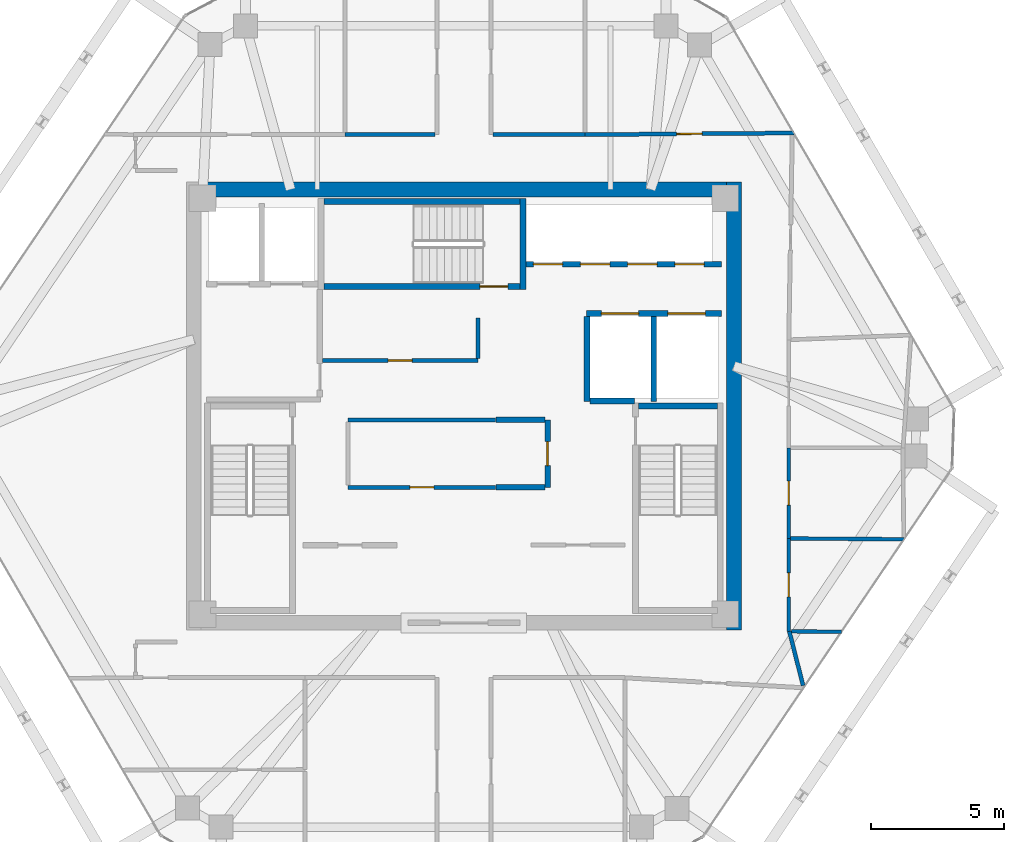
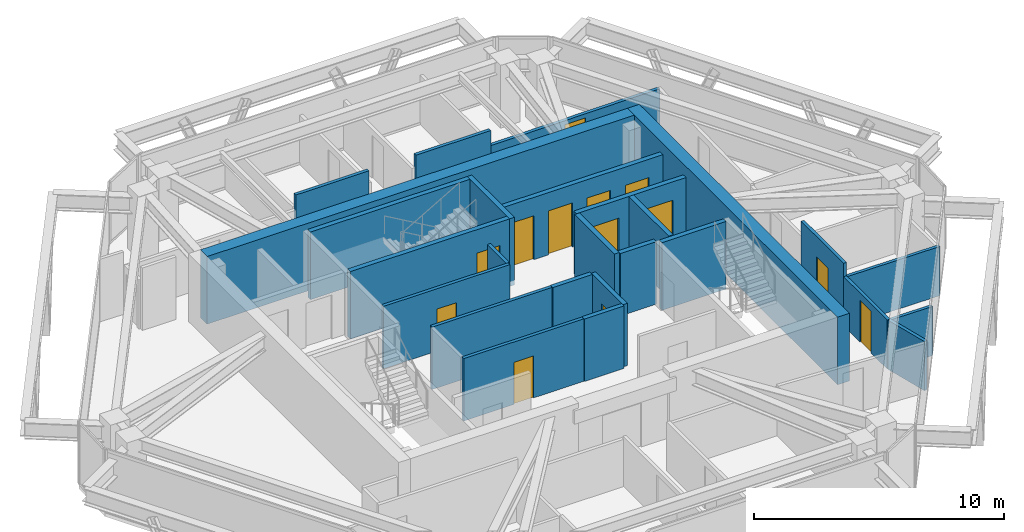
# One storey, part 9 of 11: 26 walls, 13 doors, 13 openings.
"""IFC4 building model written with IfcOpenShell, lengths in metres."""

from ifc_helpers import new_model, si_unit, direction, frame, frame_2d, origin, place, context, subcontext, project, spatial, rectangle, extrude, source, transform, mapped, material, layer, layer_set, type_object, type_shapes, element, fill, save


model = new_model("IFC4")

# Units and contexts
model_context = context("Model", 3, precision=1e-05, world=origin(), true_north=direction((0.0, 1.0)))
body_context = subcontext(model_context, "Body", "Model", "MODEL_VIEW")
ifc_project = project(units=[si_unit("LENGTHUNIT", "METRE"), si_unit("AREAUNIT", "SQUARE_METRE"), si_unit("VOLUMEUNIT", "CUBIC_METRE"), si_unit("PLANEANGLEUNIT", "RADIAN"), si_unit("MASSUNIT", "GRAM", prefix="KILO")], contexts=[model_context])

# Site, building, storey
site_placement = place(None, origin())
site = spatial("IfcSite", under=ifc_project, at=site_placement, CompositionType="ELEMENT")
building_placement = place(site_placement, origin())
building = spatial("IfcBuilding", under=site, at=building_placement, Name="Durnholm Broadcast Tower", CompositionType="ELEMENT")
storey_placement = place(building_placement, frame((0.0, 0.0, 238.10009765625)))
storey = spatial("IfcBuildingStorey", under=building, at=storey_placement, Name="L66", CompositionType="ELEMENT", Elevation=238.10009765625)

# Walls
ifc_material_1 = material(Name="Concrete C70/85", Category="concrete")
ifc_layer_1 = layer(ifc_material_1, 0.550048828125)
ifc_layer_set_1 = layer_set([ifc_layer_1], Name="Concrete C70/85")
wall_type_1 = type_object("IfcWallType", Name="WALL-CW-550", PredefinedType="SHEAR", material=ifc_layer_set_1)
wall_1_placement = place(storey_placement, frame((10.125, -8.39990234375, 0.0), z_axis=(0.0, 0.0, 1.0), x_axis=(0.0, 1.0, 0.0)))
element("IfcWall", 1, at=wall_1_placement, inside=storey, type_object=wall_type_1, Name="L66 central core shear wall CW-EAST", PredefinedType="SHEAR", context=body_context, shape_type="SweptSolid", body=[
    extrude(rectangle(XDim=16.7998046875, YDim=0.550048828125, at=frame_2d((8.39990234375, 0.0))), origin(), (0.0, 0.0, 1.0), 3.2998046875),
])
wall_2_placement = place(storey_placement, frame((-9.85009765625, 8.125, 0.0), z_axis=(0.0, 0.0, 1.0), x_axis=(1.0, 0.0, 0.0)))
element("IfcWall", 2, at=wall_2_placement, inside=storey, type_object=wall_type_1, Name="L66 central core shear wall CW-N", PredefinedType="SHEAR", context=body_context, shape_type="SweptSolid", body=[
    extrude(rectangle(XDim=19.7001953125, YDim=0.550048828125, at=frame_2d((9.85009765625, 0.0))), origin(), (0.0, 0.0, 1.0), 3.2998046875),
])

# Wall, opening, door
ifc_material_2 = material(Name="Fire-Rated Gypsum Shaftwall", Category="concrete")
ifc_layer_2 = layer(ifc_material_2, 0.199951171875)
ifc_layer_set_2 = layer_set([ifc_layer_2], Name="Fire-Rated Gypsum Shaftwall")
wall_type_2 = type_object("IfcWallType", Name="WALL-LOB-200", PredefinedType="SOLIDWALL", material=ifc_layer_set_2)
wall_3_placement = place(storey_placement, frame((3.139892578125, -0.510009765625, 0.0), z_axis=(0.0, 0.0, 1.0), x_axis=(0.0, -1.0, 0.0)))
wall_3 = element("IfcWall", 3, at=wall_3_placement, inside=storey, type_object=wall_type_2, Name="L66 Core IT Telecom Room corridor partition", PredefinedType="SOLIDWALL", context=body_context, shape_type="SweptSolid", body=[
    extrude(rectangle(XDim=2.530029296875, YDim=0.199951171875, at=frame_2d((1.26513671875, 0.0))), origin(), (0.0, 0.0, 1.0), 3.044921875),
])
opening_1_placement = place(wall_3_placement, frame((0.81494140625, 0.0, 0.0)))
opening_1 = element("IfcOpeningElement", 4, at=opening_1_placement, cuts=wall_3, Name="Opening DC-60R", PredefinedType="OPENING", context=body_context, shape_type="SweptSolid", body=[
    extrude(rectangle(XDim=0.89990234375, YDim=2.050048828125, at=frame_2d((0.449951171875, 1.02490234375))), frame((0.0, 0.10986328125, 0.0), z_axis=(0.0, -1.0, 0.0), x_axis=(1.0, 0.0, 0.0)), (0.0, 0.0, 1.0), 0.219970703125),
])
ifc_material_3 = material(Name="Fire-Rated Core Service Door", Category="steel")
ifc_layer_3 = layer(ifc_material_3, 0.050048828125)
ifc_layer_set_3 = layer_set([ifc_layer_3], Name="Fire-Rated Core Service Door")
door_type_1 = type_object("IfcDoorType", Name="DOOR-CORE-FD60-R", OperationType="NOTDEFINED", PredefinedType="DOOR", material=ifc_layer_set_3)
shared_shape_1 = source(origin(), body_context, "Body", "SweptSolid", [
    extrude(rectangle(XDim=0.89990234375, YDim=2.050048828125, at=frame_2d((0.449951171875, 1.02490234375))), frame((0.0, 0.02490234375, 0.0), z_axis=(0.0, -1.0, 0.0), x_axis=(1.0, 0.0, 0.0)), (0.0, 0.0, 1.0), 0.050048828125),
])
type_shapes(door_type_1, [shared_shape_1])
door_1_placement = place(opening_1_placement, origin())
door_1 = element("IfcDoor", 5, at=door_1_placement, inside=storey, type_object=door_type_1, Name="L66 Core IT Telecom Room entrance door", OperationType="SINGLE_SWING_RIGHT", OverallHeight=2.050048828125, OverallWidth=0.89990234375, PredefinedType="DOOR", context=body_context, shape_type="MappedRepresentation", body=[
    mapped(shared_shape_1, transform((0.0, 0.0, 0.0), x_axis=(1.0, 0.0, 0.0), y_axis=(0.0, 1.0, 0.0), z_axis=(0.0, 0.0, 1.0), scale=1.0)),
])
fill(opening_1, door_1)

# Walls
for number, where, z_axis, x_axis, name in (
    (6, (3.035888671875, -3.0400390625, 0.0), (0.0, 0.0, 1.0), (-1.0, 0.0, 0.0), "L66 Core IT Telecom Room corridor partition"),
    (7, (1.2099609375, -0.510009765625, 0.0), (0.0, 0.0, 1.0), (1.0, 0.0, 0.0), "L66 Core IT Telecom Room corridor partition"),
):
    element("IfcWall", number, at=place(storey_placement, frame(where, z_axis=z_axis, x_axis=x_axis)), inside=storey, type_object=wall_type_2, Name=name, PredefinedType="SOLIDWALL", context=body_context, shape_type="SweptSolid", body=[
        extrude(rectangle(XDim=1.825927734375, YDim=0.199951171875, at=frame_2d((0.9130859375, 0.0))), origin(), (0.0, 0.0, 1.0), 3.044921875),
    ])

# Wall, opening, door
ifc_material_4 = material(Name="Acoustic Gypsum Stud Partition", Category="concrete")
ifc_layer_4 = layer(ifc_material_4, 0.14990234375)
ifc_layer_set_4 = layer_set([ifc_layer_4], Name="Acoustic Gypsum Stud Partition")
wall_type_3 = type_object("IfcWallType", Name="WALL-PART-150", PredefinedType="PARTITIONING", material=ifc_layer_set_4)
wall_4_placement = place(storey_placement, frame((1.18994140625, -3.0400390625, 0.0), z_axis=(0.0, 0.0, 1.0), x_axis=(-1.0, 0.0, 0.0)))
wall_4 = element("IfcWall", 8, at=wall_4_placement, inside=storey, type_object=wall_type_3, Name="L66 Broadcast Equipment Store corridor partition", PredefinedType="PARTITIONING", context=body_context, shape_type="SweptSolid", body=[
    extrude(rectangle(XDim=5.530029296875, YDim=0.14990234375, at=frame_2d((2.76513671875, 0.0))), origin(), (0.0, 0.0, 1.0), 3.044921875),
])
opening_2_placement = place(wall_4_placement, frame((2.31494140625, 0.0, 0.0)))
opening_2 = element("IfcOpeningElement", 9, at=opening_2_placement, cuts=wall_4, Name="Opening DC-60L", PredefinedType="OPENING", context=body_context, shape_type="SweptSolid", body=[
    extrude(rectangle(XDim=0.89990234375, YDim=2.050048828125, at=frame_2d((0.449951171875, 1.02490234375))), frame((0.0, 0.0849609375, 0.0), z_axis=(0.0, -1.0, 0.0), x_axis=(1.0, 0.0, 0.0)), (0.0, 0.0, 1.0), 0.169921875),
])
ifc_layer_5 = layer(ifc_material_3, 0.050048828125)
ifc_layer_set_5 = layer_set([ifc_layer_5], Name="Fire-Rated Core Service Door")
door_type_2 = type_object("IfcDoorType", Name="DOOR-CORE-FD60-L", OperationType="NOTDEFINED", PredefinedType="DOOR", material=ifc_layer_set_5)
shared_shape_2 = source(origin(), body_context, "Body", "SweptSolid", [
    extrude(rectangle(XDim=0.89990234375, YDim=2.050048828125, at=frame_2d((0.449951171875, 1.02490234375))), frame((0.0, 0.02490234375, 0.0), z_axis=(0.0, -1.0, 0.0), x_axis=(1.0, 0.0, 0.0)), (0.0, 0.0, 1.0), 0.050048828125),
])
type_shapes(door_type_2, [shared_shape_2])
door_2_placement = place(opening_2_placement, origin())
door_2 = element("IfcDoor", 10, at=door_2_placement, inside=storey, type_object=door_type_2, Name="L66 Broadcast Equipment Store entrance door", OperationType="SINGLE_SWING_LEFT", OverallHeight=2.050048828125, OverallWidth=0.89990234375, PredefinedType="DOOR", context=body_context, shape_type="MappedRepresentation", body=[
    mapped(shared_shape_2, transform((0.0, 0.0, 0.0), x_axis=(1.0, 0.0, 0.0), y_axis=(0.0, 1.0, 0.0), z_axis=(0.0, 0.0, 1.0), scale=1.0)),
])
fill(opening_2, door_2)

# Wall
wall_5_placement = place(storey_placement, frame((-4.340087890625, -0.510009765625, 0.0), z_axis=(0.0, 0.0, 1.0), x_axis=(1.0, 0.0, 0.0)))
element("IfcWall", 11, at=wall_5_placement, inside=storey, type_object=wall_type_3, Name="L66 Broadcast Equipment Store corridor partition", PredefinedType="PARTITIONING", context=body_context, shape_type="SweptSolid", body=[
    extrude(rectangle(XDim=5.530029296875, YDim=0.14990234375, at=frame_2d((2.76513671875, 0.0))), origin(), (0.0, 0.0, 1.0), 3.044921875),
])

# Wall, opening, door
wall_6_placement = place(storey_placement, frame((0.52001953125, 1.7099609375, 0.0), z_axis=(0.0, 0.0, 1.0), x_axis=(-1.0, 0.0, 0.0)))
wall_6 = element("IfcWall", 12, at=wall_6_placement, inside=storey, type_object=wall_type_3, Name="L66 Core Housekeeping Room corridor partition", PredefinedType="PARTITIONING", context=body_context, shape_type="SweptSolid", body=[
    extrude(rectangle(XDim=5.81591796875, YDim=0.14990234375, at=frame_2d((2.907958984375, 0.0))), origin(), (0.0, 0.0, 1.0), 3.044921875),
])
opening_3_placement = place(wall_6_placement, frame((2.4580078125, 0.0, 0.0)))
opening_3 = element("IfcOpeningElement", 13, at=opening_3_placement, cuts=wall_6, Name="Opening DC-60L", PredefinedType="OPENING", context=body_context, shape_type="SweptSolid", body=[
    extrude(rectangle(XDim=0.89990234375, YDim=2.050048828125, at=frame_2d((0.449951171875, 1.02490234375))), frame((0.0, 0.0849609375, 0.0), z_axis=(0.0, -1.0, 0.0), x_axis=(1.0, 0.0, 0.0)), (0.0, 0.0, 1.0), 0.169921875),
])
door_3_placement = place(opening_3_placement, origin())
door_3 = element("IfcDoor", 14, at=door_3_placement, inside=storey, type_object=door_type_2, Name="L66 Core Housekeeping Room entrance door", OperationType="SINGLE_SWING_LEFT", OverallHeight=2.050048828125, OverallWidth=0.89990234375, PredefinedType="DOOR", context=body_context, shape_type="MappedRepresentation", body=[
    mapped(shared_shape_2, transform((0.0, 0.0, 0.0), x_axis=(1.0, 0.0, 0.0), y_axis=(0.0, 1.0, 0.0), z_axis=(0.0, 0.0, 1.0), scale=1.0)),
])
fill(opening_3, door_3)

# Walls
wall_7_placement = place(storey_placement, frame((0.52001953125, 3.300048828125, 0.0), z_axis=(0.0, 0.0, 1.0), x_axis=(0.0, -1.0, 0.0)))
element("IfcWall", 15, at=wall_7_placement, inside=storey, type_object=wall_type_3, Name="L66 Core Housekeeping Room corridor partition", PredefinedType="PARTITIONING", context=body_context, shape_type="SweptSolid", body=[
    extrude(rectangle(XDim=1.510986328125, YDim=0.14990234375, at=frame_2d((0.75537109375, 0.0))), origin(), (0.0, 0.0, 1.0), 3.044921875),
])
wall_8_placement = place(storey_placement, frame((-1.089111328125, 10.179931640625, 0.0), z_axis=(0.0, 0.0, 1.0), x_axis=(-1.0, 0.0, 0.0)))
element("IfcWall", 16, at=wall_8_placement, inside=storey, type_object=wall_type_3, Name="L66 Global Bureaus Meeting Room corridor partition", PredefinedType="PARTITIONING", context=body_context, shape_type="SweptSolid", body=[
    extrude(rectangle(XDim=3.370849609375, YDim=0.14990234375, at=frame_2d((1.685546875, 0.0))), origin(), (0.0, 0.0, 1.0), 3.044921875),
])
wall_9_placement = place(storey_placement, frame((4.5400390625, 10.179931640625, 0.0), z_axis=(0.0, 0.0, 1.0), x_axis=(-1.0, 0.0, 0.0)))
element("IfcWall", 17, at=wall_9_placement, inside=storey, type_object=wall_type_3, Name="L66 Protocol Lounge corridor partition", PredefinedType="PARTITIONING", context=body_context, shape_type="SweptSolid", body=[
    extrude(rectangle(XDim=3.450927734375, YDim=0.14990234375, at=frame_2d((1.7255859375, 0.0))), origin(), (0.0, 0.0, 1.0), 3.044921875),
])

# Wall, opening, door
wall_10_placement = place(storey_placement, frame((12.368408203125, 10.242919921875, 0.0), z_axis=(0.0, 0.0, 1.0), x_axis=(-0.999968379606, -0.007952344825, 0.0)))
wall_10 = element("IfcWall", 18, at=wall_10_placement, inside=storey, type_object=wall_type_3, Name="L66 Open Plan Broadcast Workspace 5 corridor partition", PredefinedType="PARTITIONING", context=body_context, shape_type="SweptSolid", body=[
    extrude(rectangle(XDim=7.82861328125, YDim=0.14990234375, at=frame_2d((3.914306640625, 0.0))), origin(), (0.0, 0.0, 1.0), 2.30126953125),
])
opening_4_placement = place(wall_10_placement, frame((3.439208984375, 0.0, 0.0)))
opening_4 = element("IfcOpeningElement", 19, at=opening_4_placement, cuts=wall_10, Name="Opening DR-95R", PredefinedType="OPENING", context=body_context, shape_type="SweptSolid", body=[
    extrude(rectangle(XDim=0.949951171875, YDim=2.10009765625, at=frame_2d((0.47509765625, 1.050048828125))), frame((0.0, 0.0849609375, 0.0), z_axis=(0.0, -1.0, 0.0), x_axis=(1.0, 0.0, 0.0)), (0.0, 0.0, 1.0), 0.169921875),
])
ifc_material_5 = material(Name="Acoustic Oak Veneer Timber Door", Category="wood")
ifc_layer_6 = layer(ifc_material_5, 0.050048828125)
ifc_layer_set_6 = layer_set([ifc_layer_6], Name="Acoustic Oak Veneer Timber Door")
door_type_3 = type_object("IfcDoorType", Name="DOOR-RM-950R", OperationType="NOTDEFINED", PredefinedType="DOOR", material=ifc_layer_set_6)
shared_shape_3 = source(origin(), body_context, "Body", "SweptSolid", [
    extrude(rectangle(XDim=0.949951171875, YDim=2.10009765625, at=frame_2d((0.47509765625, 1.050048828125))), frame((0.0, 0.02490234375, 0.0), z_axis=(0.0, -1.0, 0.0), x_axis=(1.0, 0.0, 0.0)), (0.0, 0.0, 1.0), 0.050048828125),
])
type_shapes(door_type_3, [shared_shape_3])
door_4_placement = place(opening_4_placement, origin())
door_4 = element("IfcDoor", 20, at=door_4_placement, inside=storey, type_object=door_type_3, Name="L66 Open Plan Broadcast Workspace 5 entrance door", OperationType="SINGLE_SWING_RIGHT", OverallHeight=2.10009765625, OverallWidth=0.949951171875, PredefinedType="DOOR", context=body_context, shape_type="MappedRepresentation", body=[
    mapped(shared_shape_3, transform((0.0, 0.0, 0.0), x_axis=(1.0, 0.0, 0.0), y_axis=(0.0, 1.0, 0.0), z_axis=(0.0, 0.0, 1.0), scale=1.0)),
])
fill(opening_4, door_4)

# Wall
wall_11_placement = place(storey_placement, frame((12.718505859375, -10.4775390625, 0.0), z_axis=(0.0, 0.0, 1.0), x_axis=(-0.246522636262, 0.969137033556, 0.0)))
element("IfcWall", 21, at=wall_11_placement, inside=storey, type_object=wall_type_3, Name="L66 Open Plan Broadcast Workspace 4 corridor partition", PredefinedType="PARTITIONING", context=body_context, shape_type="SweptSolid", body=[
    extrude(rectangle(XDim=2.1025390625, YDim=0.14990234375, at=frame_2d((1.05126953125, 0.0))), origin(), (0.0, 0.0, 1.0), 2.398681640625),
])

# Wall, openings, doors
ifc_material_6 = material(Name="Concrete Blockwork C30/37", Category="masonry")
ifc_layer_7 = layer(ifc_material_6, 0.219970703125)
ifc_layer_set_7 = layer_set([ifc_layer_7], Name="Concrete Blockwork C30/37")
wall_type_4 = type_object("IfcWallType", Name="WALL-SHAFT-220", PredefinedType="SOLIDWALL", material=ifc_layer_set_7)
wall_12_placement = place(storey_placement, frame((4.60009765625, 3.47998046875, 0.0), z_axis=(0.0, 0.0, 1.0), x_axis=(1.0, 0.0, 0.0)))
wall_12 = element("IfcWall", 22, at=wall_12_placement, inside=storey, type_object=wall_type_4, Name="L66 freight service lifts north front wall", PredefinedType="SOLIDWALL", context=body_context, shape_type="SweptSolid", body=[
    extrude(rectangle(XDim=5.0498046875, YDim=0.219970703125, at=frame_2d((2.52490234375, 0.0))), origin(), (0.0, 0.0, 1.0), 3.044921875),
])
opening_5_placement = place(wall_12_placement, frame((0.550048828125, 0.0, 0.0)))
opening_5 = element("IfcOpeningElement", 23, at=opening_5_placement, cuts=wall_12, Name="Opening LD-SVL-2", PredefinedType="OPENING", context=body_context, shape_type="SweptSolid", body=[
    extrude(rectangle(XDim=1.39990234375, YDim=2.14990234375, at=frame_2d((0.699951171875, 1.074951171875))), frame((0.0, 0.1201171875, 0.0), z_axis=(0.0, -1.0, 0.0), x_axis=(1.0, 0.0, 0.0)), (0.0, 0.0, 1.0), 0.239990234375),
])
opening_6_placement = place(wall_12_placement, frame((3.050048828125, 0.0, 0.0)))
opening_6 = element("IfcOpeningElement", 24, at=opening_6_placement, cuts=wall_12, Name="Opening LD-SVL-1", PredefinedType="OPENING", context=body_context, shape_type="SweptSolid", body=[
    extrude(rectangle(XDim=1.39990234375, YDim=2.14990234375, at=frame_2d((0.699951171875, 1.074951171875))), frame((0.0, 0.1201171875, 0.0), z_axis=(0.0, -1.0, 0.0), x_axis=(1.0, 0.0, 0.0)), (0.0, 0.0, 1.0), 0.239990234375),
])
ifc_material_7 = material(Name="Freight Elevator Bi-Parting Sliding Landing Door", Category="steel")
ifc_layer_8 = layer(ifc_material_7, 0.050048828125)
ifc_layer_set_8 = layer_set([ifc_layer_8], Name="Freight Elevator Bi-Parting Sliding Landing Door")
door_type_4 = type_object("IfcDoorType", Name="DOOR-LIFT-SVL", OperationType="DOUBLE_DOOR_SLIDING", PredefinedType="DOOR", material=ifc_layer_set_8)
shared_shape_4 = source(origin(), body_context, "Body", "SweptSolid", [
    extrude(rectangle(XDim=1.39990234375, YDim=2.14990234375, at=frame_2d((0.699951171875, 1.074951171875))), frame((0.0, 0.02490234375, 0.0), z_axis=(0.0, -1.0, 0.0), x_axis=(1.0, 0.0, 0.0)), (0.0, 0.0, 1.0), 0.050048828125),
])
type_shapes(door_type_4, [shared_shape_4])
door_5_placement = place(opening_5_placement, origin())
door_5 = element("IfcDoor", 25, at=door_5_placement, inside=storey, type_object=door_type_4, Name="L66 freight service elevator SVL-2 sliding landing door", OperationType="DOUBLE_DOOR_SLIDING", OverallHeight=2.14990234375, OverallWidth=1.39990234375, PredefinedType="DOOR", context=body_context, shape_type="MappedRepresentation", body=[
    mapped(shared_shape_4, transform((0.0, 0.0, 0.0), x_axis=(1.0, 0.0, 0.0), y_axis=(0.0, 1.0, 0.0), z_axis=(0.0, 0.0, 1.0), scale=1.0)),
])
fill(opening_5, door_5)
door_6_placement = place(opening_6_placement, origin())
door_6 = element("IfcDoor", 26, at=door_6_placement, inside=storey, type_object=door_type_4, Name="L66 freight service elevator SVL-1 sliding landing door", OperationType="DOUBLE_DOOR_SLIDING", OverallHeight=2.14990234375, OverallWidth=1.39990234375, PredefinedType="DOOR", context=body_context, shape_type="MappedRepresentation", body=[
    mapped(shared_shape_4, transform((0.0, 0.0, 0.0), x_axis=(1.0, 0.0, 0.0), y_axis=(0.0, 1.0, 0.0), z_axis=(0.0, 0.0, 1.0), scale=1.0)),
])
fill(opening_6, door_6)

# Walls
for number, where, z_axis, x_axis, name in (
    (27, (4.6201171875, 0.179931640625, 0.0), (0.0, 0.0, 1.0), (0.0, 1.0, 0.0), "L66 freight service lift SVL-2 west wall"),
    (28, (7.1201171875, 0.179931640625, 0.0), (0.0, 0.0, 1.0), (0.0, 1.0, 0.0), "L66 freight service lifts divider wall"),
):
    element("IfcWall", number, at=place(storey_placement, frame(where, z_axis=z_axis, x_axis=x_axis)), inside=storey, type_object=wall_type_4, Name=name, PredefinedType="SOLIDWALL", context=body_context, shape_type="SweptSolid", body=[
        extrude(rectangle(XDim=3.18603515625, YDim=0.219970703125, at=frame_2d((1.593017578125, 0.0))), origin(), (0.0, 0.0, 1.0), 3.044921875),
    ])
wall_13_placement = place(storey_placement, frame((4.73388671875, 0.199951171875, 0.0), z_axis=(0.0, 0.0, 1.0), x_axis=(1.0, 0.0, 0.0)))
element("IfcWall", 29, at=wall_13_placement, inside=storey, type_object=wall_type_4, Name="L66 freight service lift SVL-2 south wall", PredefinedType="SOLIDWALL", context=body_context, shape_type="SweptSolid", body=[
    extrude(rectangle(XDim=1.666015625, YDim=0.219970703125, at=frame_2d((0.8330078125, 0.0))), origin(), (0.0, 0.0, 1.0), 3.044921875),
])

# Wall, openings, doors
wall_14_placement = place(storey_placement, frame((2.324951171875, 5.320068359375, 0.0), z_axis=(0.0, 0.0, 1.0), x_axis=(1.0, 0.0, 0.0)))
wall_14 = element("IfcWall", 30, at=wall_14_placement, inside=storey, type_object=wall_type_4, Name="L66 high-rise bank P3 south front wall", PredefinedType="SOLIDWALL", context=body_context, shape_type="SweptSolid", body=[
    extrude(rectangle(XDim=7.324951171875, YDim=0.219970703125, at=frame_2d((3.66259765625, 0.0))), origin(), (0.0, 0.0, 1.0), 3.044921875),
])
opening_7_placement = place(wall_14_placement, frame((0.27490234375, 0.0, 0.0)))
opening_7 = element("IfcOpeningElement", 31, at=opening_7_placement, cuts=wall_14, Name="Opening LD-LP3-1", PredefinedType="OPENING", context=body_context, shape_type="SweptSolid", body=[
    extrude(rectangle(XDim=1.10009765625, YDim=2.14990234375, at=frame_2d((0.550048828125, 1.074951171875))), frame((0.0, 0.1201171875, 0.0), z_axis=(0.0, -1.0, 0.0), x_axis=(1.0, 0.0, 0.0)), (0.0, 0.0, 1.0), 0.239990234375),
])
opening_8_placement = place(wall_14_placement, frame((2.044921875, 0.0, 0.0)))
opening_8 = element("IfcOpeningElement", 32, at=opening_8_placement, cuts=wall_14, Name="Opening LD-LP3-2", PredefinedType="OPENING", context=body_context, shape_type="SweptSolid", body=[
    extrude(rectangle(XDim=1.10009765625, YDim=2.14990234375, at=frame_2d((0.550048828125, 1.074951171875))), frame((0.0, 0.1201171875, 0.0), z_axis=(0.0, -1.0, 0.0), x_axis=(1.0, 0.0, 0.0)), (0.0, 0.0, 1.0), 0.239990234375),
])
opening_9_placement = place(wall_14_placement, frame((3.81494140625, 0.0, 0.0)))
opening_9 = element("IfcOpeningElement", 33, at=opening_9_placement, cuts=wall_14, Name="Opening LD-LP3-3", PredefinedType="OPENING", context=body_context, shape_type="SweptSolid", body=[
    extrude(rectangle(XDim=1.10009765625, YDim=2.14990234375, at=frame_2d((0.550048828125, 1.074951171875))), frame((0.0, 0.1201171875, 0.0), z_axis=(0.0, -1.0, 0.0), x_axis=(1.0, 0.0, 0.0)), (0.0, 0.0, 1.0), 0.239990234375),
])
opening_10_placement = place(wall_14_placement, frame((5.5849609375, 0.0, 0.0)))
opening_10 = element("IfcOpeningElement", 34, at=opening_10_placement, cuts=wall_14, Name="Opening LD-LP3-4", PredefinedType="OPENING", context=body_context, shape_type="SweptSolid", body=[
    extrude(rectangle(XDim=1.10009765625, YDim=2.14990234375, at=frame_2d((0.550048828125, 1.074951171875))), frame((0.0, 0.1201171875, 0.0), z_axis=(0.0, -1.0, 0.0), x_axis=(1.0, 0.0, 0.0)), (0.0, 0.0, 1.0), 0.239990234375),
])
ifc_material_8 = material(Name="Stainless Steel Sliding Elevator Landing Door", Category="steel")
ifc_layer_9 = layer(ifc_material_8, 0.050048828125)
ifc_layer_set_9 = layer_set([ifc_layer_9], Name="Stainless Steel Sliding Elevator Landing Door")
door_type_5 = type_object("IfcDoorType", Name="DOOR-LIFT-PAX", OperationType="DOUBLE_DOOR_SLIDING", PredefinedType="DOOR", material=ifc_layer_set_9)
shared_shape_5 = source(origin(), body_context, "Body", "SweptSolid", [
    extrude(rectangle(XDim=1.10009765625, YDim=2.14990234375, at=frame_2d((0.550048828125, 1.074951171875))), frame((0.0, 0.02490234375, 0.0), z_axis=(0.0, -1.0, 0.0), x_axis=(1.0, 0.0, 0.0)), (0.0, 0.0, 1.0), 0.050048828125),
])
type_shapes(door_type_5, [shared_shape_5])
door_7_placement = place(opening_7_placement, origin())
door_7 = element("IfcDoor", 35, at=door_7_placement, inside=storey, type_object=door_type_5, Name="L66 high-rise elevator LP3-1 sliding landing door", OperationType="DOUBLE_DOOR_SLIDING", OverallHeight=2.14990234375, OverallWidth=1.10009765625, PredefinedType="DOOR", context=body_context, shape_type="MappedRepresentation", body=[
    mapped(shared_shape_5, transform((0.0, 0.0, 0.0), x_axis=(1.0, 0.0, 0.0), y_axis=(0.0, 1.0, 0.0), z_axis=(0.0, 0.0, 1.0), scale=1.0)),
])
fill(opening_7, door_7)
door_8_placement = place(opening_8_placement, origin())
door_8 = element("IfcDoor", 36, at=door_8_placement, inside=storey, type_object=door_type_5, Name="L66 high-rise elevator LP3-2 sliding landing door", OperationType="DOUBLE_DOOR_SLIDING", OverallHeight=2.14990234375, OverallWidth=1.10009765625, PredefinedType="DOOR", context=body_context, shape_type="MappedRepresentation", body=[
    mapped(shared_shape_5, transform((0.0, 0.0, 0.0), x_axis=(1.0, 0.0, 0.0), y_axis=(0.0, 1.0, 0.0), z_axis=(0.0, 0.0, 1.0), scale=1.0)),
])
fill(opening_8, door_8)
door_9_placement = place(opening_9_placement, origin())
door_9 = element("IfcDoor", 37, at=door_9_placement, inside=storey, type_object=door_type_5, Name="L66 high-rise elevator LP3-3 sliding landing door", OperationType="DOUBLE_DOOR_SLIDING", OverallHeight=2.14990234375, OverallWidth=1.10009765625, PredefinedType="DOOR", context=body_context, shape_type="MappedRepresentation", body=[
    mapped(shared_shape_5, transform((0.0, 0.0, 0.0), x_axis=(1.0, 0.0, 0.0), y_axis=(0.0, 1.0, 0.0), z_axis=(0.0, 0.0, 1.0), scale=1.0)),
])
fill(opening_9, door_9)
door_10_placement = place(opening_10_placement, origin())
door_10 = element("IfcDoor", 38, at=door_10_placement, inside=storey, type_object=door_type_5, Name="L66 high-rise elevator LP3-4 sliding landing door", OperationType="DOUBLE_DOOR_SLIDING", OverallHeight=2.14990234375, OverallWidth=1.10009765625, PredefinedType="DOOR", context=body_context, shape_type="MappedRepresentation", body=[
    mapped(shared_shape_5, transform((0.0, 0.0, 0.0), x_axis=(1.0, 0.0, 0.0), y_axis=(0.0, 1.0, 0.0), z_axis=(0.0, 0.0, 1.0), scale=1.0)),
])
fill(opening_10, door_10)

# Walls
ifc_material_9 = material(Name="Concrete C50/60", Category="concrete")
ifc_layer_10 = layer(ifc_material_9, 0.219970703125)
ifc_layer_set_10 = layer_set([ifc_layer_10], Name="Concrete C50/60")
wall_type_5 = type_object("IfcWallType", Name="WALL-SW-220", PredefinedType="SHEAR", material=ifc_layer_set_10)
wall_15_placement = place(storey_placement, frame((9.5, 0.010009765625, -0.239990234375), z_axis=(0.0, 0.0, 1.0), x_axis=(-1.0, 0.0, 0.0)))
element("IfcWall", 39, at=wall_15_placement, inside=storey, type_object=wall_type_5, Name="L66 stair ST-2 structural shaft wall N", PredefinedType="SHEAR", context=body_context, shape_type="SweptSolid", body=[
    extrude(rectangle(XDim=2.9599609375, YDim=0.219970703125, at=frame_2d((1.47998046875, 0.0))), origin(), (0.0, 0.0, 1.0), 3.2998046875),
])
wall_16_placement = place(storey_placement, frame((2.2099609375, 4.3798828125, -0.239990234375), z_axis=(0.0, 0.0, 1.0), x_axis=(0.0, 1.0, 0.0)))
element("IfcWall", 40, at=wall_16_placement, inside=storey, type_object=wall_type_5, Name="L66 stair ST-3 structural shaft wall E", PredefinedType="SHEAR", context=body_context, shape_type="SweptSolid", body=[
    extrude(rectangle(XDim=3.400146484375, YDim=0.219970703125, at=frame_2d((1.7001953125, 0.0))), origin(), (0.0, 0.0, 1.0), 3.2998046875),
])

# Wall, opening, door
wall_17_placement = place(storey_placement, frame((-5.25, 4.489990234375, -0.239990234375), z_axis=(0.0, 0.0, 1.0), x_axis=(1.0, 0.0, 0.0)))
wall_17 = element("IfcWall", 41, at=wall_17_placement, inside=storey, type_object=wall_type_5, Name="L66 stair ST-3 structural shaft wall S", PredefinedType="SHEAR", context=body_context, shape_type="SweptSolid", body=[
    extrude(rectangle(XDim=7.35009765625, YDim=0.219970703125, at=frame_2d((3.675048828125, 0.0))), origin(), (0.0, 0.0, 1.0), 3.2998046875),
])
opening_11_placement = place(wall_17_placement, frame((5.85009765625, 0.0, 0.0)))
opening_11 = element("IfcOpeningElement", 42, at=opening_11_placement, cuts=wall_17, Name="Opening DS-90L", PredefinedType="OPENING", context=body_context, shape_type="SweptSolid", body=[
    extrude(rectangle(XDim=1.050048828125, YDim=2.14990234375, at=frame_2d((0.52490234375, 1.074951171875))), frame((0.0, 0.1201171875, 0.0), z_axis=(0.0, -1.0, 0.0), x_axis=(1.0, 0.0, 0.0)), (0.0, 0.0, 1.0), 0.239990234375),
])
ifc_material_10 = material(Name="Fire-Rated Steel Door", Category="steel")
ifc_layer_11 = layer(ifc_material_10, 0.050048828125)
ifc_layer_set_11 = layer_set([ifc_layer_11], Name="Fire-Rated Steel Door")
door_type_6 = type_object("IfcDoorType", Name="DOOR-ST-FD90-L", OperationType="NOTDEFINED", PredefinedType="DOOR", material=ifc_layer_set_11)
shared_shape_6 = source(origin(), body_context, "Body", "SweptSolid", [
    extrude(rectangle(XDim=1.050048828125, YDim=2.14990234375, at=frame_2d((0.52490234375, 1.074951171875))), frame((0.0, 0.02490234375, 0.0), z_axis=(0.0, -1.0, 0.0), x_axis=(1.0, 0.0, 0.0)), (0.0, 0.0, 1.0), 0.050048828125),
])
type_shapes(door_type_6, [shared_shape_6])
door_11_placement = place(opening_11_placement, origin())
door_11 = element("IfcDoor", 43, at=door_11_placement, inside=storey, type_object=door_type_6, Name="L66 exit stair ST-3 fire door", OperationType="SINGLE_SWING_LEFT", OverallHeight=2.14990234375, OverallWidth=1.050048828125, PredefinedType="DOOR", context=body_context, shape_type="MappedRepresentation", body=[
    mapped(shared_shape_6, transform((0.0, 0.0, 0.0), x_axis=(1.0, 0.0, 0.0), y_axis=(0.0, 1.0, 0.0), z_axis=(0.0, 0.0, 1.0), scale=1.0)),
])
fill(opening_11, door_11)

# Wall
wall_18_placement = place(storey_placement, frame((2.10009765625, 7.669921875, -0.239990234375), z_axis=(0.0, 0.0, 1.0), x_axis=(-1.0, 0.0, 0.0)))
element("IfcWall", 44, at=wall_18_placement, inside=storey, type_object=wall_type_5, Name="L66 stair ST-3 structural shaft wall N", PredefinedType="SHEAR", context=body_context, shape_type="SweptSolid", body=[
    extrude(rectangle(XDim=7.35009765625, YDim=0.219970703125, at=frame_2d((3.675048828125, 0.0))), origin(), (0.0, 0.0, 1.0), 3.2998046875),
])

# Wall, opening, door
ifc_material_11 = material(Name="Moisture-Resistant Tile Partition", Category="concrete")
ifc_layer_12 = layer(ifc_material_11, 0.139892578125)
ifc_layer_set_12 = layer_set([ifc_layer_12], Name="Moisture-Resistant Tile Partition")
wall_type_6 = type_object("IfcWallType", Name="WALL-WC-140", PredefinedType="PARTITIONING", material=ifc_layer_set_12)
wall_19_placement = place(storey_placement, frame((12.179931640625, -8.43994140625, 0.0), z_axis=(0.0, 0.0, 1.0), x_axis=(0.0, 1.0, 0.0)))
wall_19 = element("IfcWall", 45, at=wall_19_placement, inside=storey, type_object=wall_type_6, Name="L66 Men's Restroom corridor partition", PredefinedType="PARTITIONING", context=body_context, shape_type="SweptSolid", body=[
    extrude(rectangle(XDim=3.47998046875, YDim=0.139892578125, at=frame_2d((1.739990234375, 0.0))), origin(), (0.0, 0.0, 1.0), 2.398681640625),
])
opening_12_placement = place(wall_19_placement, frame((1.2900390625, 0.0, 0.0)))
opening_12 = element("IfcOpeningElement", 46, at=opening_12_placement, cuts=wall_19, Name="Opening DW-90R", PredefinedType="OPENING", context=body_context, shape_type="SweptSolid", body=[
    extrude(rectangle(XDim=0.89990234375, YDim=2.050048828125, at=frame_2d((0.449951171875, 1.02490234375))), frame((0.0, 0.080078125, 0.0), z_axis=(0.0, -1.0, 0.0), x_axis=(1.0, 0.0, 0.0)), (0.0, 0.0, 1.0), 0.159912109375),
])
ifc_material_12 = material(Name="Laminate Restroom Door", Category="steel")
ifc_layer_13 = layer(ifc_material_12, 0.050048828125)
ifc_layer_set_13 = layer_set([ifc_layer_13], Name="Laminate Restroom Door")
door_type_7 = type_object("IfcDoorType", Name="DOOR-WC-900R", OperationType="NOTDEFINED", PredefinedType="DOOR", material=ifc_layer_set_13)
shared_shape_7 = source(origin(), body_context, "Body", "SweptSolid", [
    extrude(rectangle(XDim=0.89990234375, YDim=2.050048828125, at=frame_2d((0.449951171875, 1.02490234375))), frame((0.0, 0.02490234375, 0.0), z_axis=(0.0, -1.0, 0.0), x_axis=(1.0, 0.0, 0.0)), (0.0, 0.0, 1.0), 0.050048828125),
])
type_shapes(door_type_7, [shared_shape_7])
door_12_placement = place(opening_12_placement, origin())
door_12 = element("IfcDoor", 47, at=door_12_placement, inside=storey, type_object=door_type_7, Name="L66 Men's Restroom entrance door", OperationType="SINGLE_SWING_RIGHT", OverallHeight=2.050048828125, OverallWidth=0.89990234375, PredefinedType="DOOR", context=body_context, shape_type="MappedRepresentation", body=[
    mapped(shared_shape_7, transform((0.0, 0.0, 0.0), x_axis=(1.0, 0.0, 0.0), y_axis=(0.0, 1.0, 0.0), z_axis=(0.0, 0.0, 1.0), scale=1.0)),
])
fill(opening_12, door_12)

wall_20_placement = place(storey_placement, frame((12.179931640625, -4.9599609375, 0.0), z_axis=(0.0, 0.0, 1.0), x_axis=(0.0, 1.0, 0.0)))
wall_20 = element("IfcWall", 48, at=wall_20_placement, inside=storey, type_object=wall_type_6, Name="L66 Women's Restroom corridor partition", PredefinedType="PARTITIONING", context=body_context, shape_type="SweptSolid", body=[
    extrude(rectangle(XDim=3.39990234375, YDim=0.139892578125, at=frame_2d((1.699951171875, 0.0))), origin(), (0.0, 0.0, 1.0), 3.044921875),
])
opening_13_placement = place(wall_20_placement, frame((1.25, 0.0, 0.0)))
opening_13 = element("IfcOpeningElement", 49, at=opening_13_placement, cuts=wall_20, Name="Opening DW-90L", PredefinedType="OPENING", context=body_context, shape_type="SweptSolid", body=[
    extrude(rectangle(XDim=0.89990234375, YDim=2.050048828125, at=frame_2d((0.449951171875, 1.02490234375))), frame((0.0, 0.080078125, 0.0), z_axis=(0.0, -1.0, 0.0), x_axis=(1.0, 0.0, 0.0)), (0.0, 0.0, 1.0), 0.159912109375),
])
ifc_layer_14 = layer(ifc_material_12, 0.050048828125)
ifc_layer_set_14 = layer_set([ifc_layer_14], Name="Laminate Restroom Door")
door_type_8 = type_object("IfcDoorType", Name="DOOR-WC-900L", OperationType="NOTDEFINED", PredefinedType="DOOR", material=ifc_layer_set_14)
shared_shape_8 = source(origin(), body_context, "Body", "SweptSolid", [
    extrude(rectangle(XDim=0.89990234375, YDim=2.050048828125, at=frame_2d((0.449951171875, 1.02490234375))), frame((0.0, 0.02490234375, 0.0), z_axis=(0.0, -1.0, 0.0), x_axis=(1.0, 0.0, 0.0)), (0.0, 0.0, 1.0), 0.050048828125),
])
type_shapes(door_type_8, [shared_shape_8])
door_13_placement = place(opening_13_placement, origin())
door_13 = element("IfcDoor", 50, at=door_13_placement, inside=storey, type_object=door_type_8, Name="L66 Women's Restroom entrance door", OperationType="SINGLE_SWING_LEFT", OverallHeight=2.050048828125, OverallWidth=0.89990234375, PredefinedType="DOOR", context=body_context, shape_type="MappedRepresentation", body=[
    mapped(shared_shape_8, transform((0.0, 0.0, 0.0), x_axis=(1.0, 0.0, 0.0), y_axis=(0.0, 1.0, 0.0), z_axis=(0.0, 0.0, 1.0), scale=1.0)),
])
fill(opening_13, door_13)

# Walls
wall_21_placement = place(storey_placement, frame((12.25390625, -4.96044921875, 0.0), z_axis=(0.0, 0.0, 1.0), x_axis=(0.999976630429, -0.006836563198, 0.0)))
element("IfcWall", 51, at=wall_21_placement, inside=storey, type_object=wall_type_6, Name="L66 room dividing partition 6.7", PredefinedType="PARTITIONING", context=body_context, shape_type="SweptSolid", body=[
    extrude(rectangle(XDim=4.24951171875, YDim=0.139892578125, at=frame_2d((2.124755859375, 0.0))), origin(), (0.0, 0.0, 1.0), 2.398681640625),
])
wall_22_placement = place(storey_placement, frame((14.155517578125, -8.46240234375, 0.0), z_axis=(0.0, 0.0, 1.0), x_axis=(-0.999935742613, 0.011336253532, 0.0)))
element("IfcWall", 52, at=wall_22_placement, inside=storey, type_object=wall_type_6, Name="L66 room dividing partition 6.17", PredefinedType="PARTITIONING", context=body_context, shape_type="SweptSolid", body=[
    extrude(rectangle(XDim=1.87353515625, YDim=0.139892578125, at=frame_2d((0.936767578125, 0.0))), origin(), (0.0, 0.0, 1.0), 2.398681640625),
])

save(model, "model.ifc")
